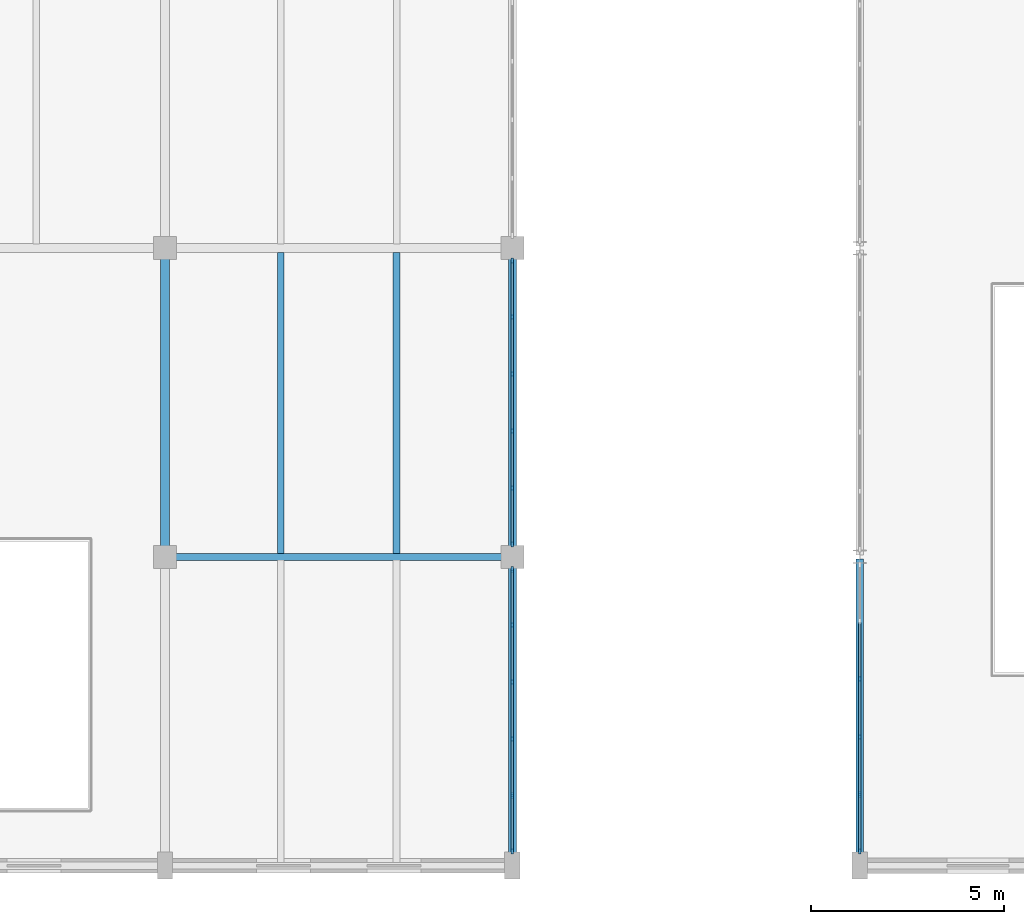
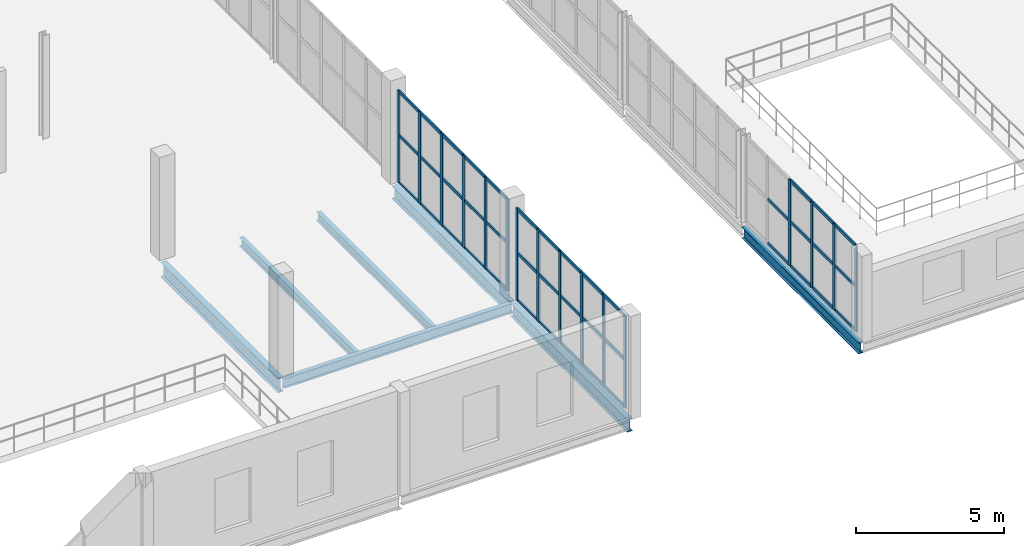
# One storey, part 14 of 73: 57 members, 7 beams, 3 elements without a shape of their own.
"""IFC4 building model written with IfcOpenShell, lengths in metres."""

import ifcopenshell
import ifcopenshell.guid

model = None  # the IFC model being written
_history = None  # IfcOwnerHistory: only IFC2X3 demands one
_inside = {}  # id of a spatial element -> (the spatial element, [elements in it])
_under = {}  # id of a project, library or spatial element -> (it, [spatial elements below it])
_declared = {}  # id of a project -> (the project, [libraries it declares])
_typed = {}  # id of a type object -> (the type object, [elements of that type])
_made_of = {}  # id of a material, layer set ... -> (it, [elements and type objects made of it])


def new_model(schema):
    """Start an empty IFC model of exactly this schema.

    Asked for "IFC4X3", IfcOpenShell would pick the latest addendum, in which some entities
    have other attributes; the version numbers below select the first issue.
    IFC2X3 requires an IfcOwnerHistory on every rooted entity: one is made here for all.
    """
    global model, _history
    if schema == "IFC4X3":
        model = ifcopenshell.file(schema_version=(4, 3, 0, 0))
    else:
        model = ifcopenshell.file(schema=schema)
    _inside.clear()
    _under.clear()
    _declared.clear()
    _typed.clear()
    _made_of.clear()
    _history = None
    if model.schema == "IFC2X3":
        org = make("IfcOrganization", Name="unknown")
        user = make(
            "IfcPersonAndOrganization",
            ThePerson=make("IfcPerson", FamilyName="unknown"),
            TheOrganization=org,
        )
        app = make(
            "IfcApplication",
            ApplicationDeveloper=org,
            Version="unknown",
            ApplicationFullName="unknown",
            ApplicationIdentifier="unknown",
        )
        _history = make(
            "IfcOwnerHistory",
            OwningUser=user,
            OwningApplication=app,
            ChangeAction="ADDED",
            CreationDate=0,
        )
    return model


def make(cls, **values):
    """One entity of the class cls with the attributes given. An attribute that is None is left unset."""
    return model.create_entity(
        cls, **{name: value for name, value in values.items() if value is not None}
    )


def rooted(cls, **values):
    """An entity with a GlobalId (a new one), such as an element, a storey or a relation."""
    return make(cls, GlobalId=ifcopenshell.guid.new(), OwnerHistory=_history, **values)


def si_unit(unit_type, name, prefix=None):
    """IfcSIUnit, for example si_unit("LENGTHUNIT", "METRE", prefix="MILLI")."""
    return make("IfcSIUnit", UnitType=unit_type, Prefix=prefix, Name=name)


def assignment(units):
    """IfcUnitAssignment: the units of a project."""
    return None if units is None else make("IfcUnitAssignment", Units=units)


def point(xyz):
    """IfcCartesianPoint."""
    return None if xyz is None else make("IfcCartesianPoint", Coordinates=xyz)


def direction(xyz):
    """IfcDirection."""
    return None if xyz is None else make("IfcDirection", DirectionRatios=xyz)


def frame(location, z_axis=None, x_axis=None):
    """IfcAxis2Placement3D, a coordinate frame: its origin and axes. An axis left out is left unset."""
    return make(
        "IfcAxis2Placement3D",
        Location=point(location),
        Axis=direction(z_axis),
        RefDirection=direction(x_axis),
    )


def frame_2d(location, x_axis=None):
    """IfcAxis2Placement2D, a coordinate frame in the plane: its origin and x axis."""
    return make(
        "IfcAxis2Placement2D", Location=point(location), RefDirection=direction(x_axis)
    )


def origin():
    """The frame at (0, 0, 0) with its axes left unset."""
    return frame((0.0, 0.0, 0.0))


def origin_2d():
    """The frame at (0, 0) in the plane with its x axis left unset."""
    return frame_2d((0.0, 0.0))


def place(relative_to, where):
    """IfcLocalPlacement: puts the frame where relative to a parent placement (None: the world)."""
    return make(
        "IfcLocalPlacement", PlacementRelTo=relative_to, RelativePlacement=where
    )


def context(
    kind, dimensions, precision=None, world=None, true_north=None, identifier=None
):
    """IfcGeometricRepresentationContext, for example the 3D "Model" context."""
    return make(
        "IfcGeometricRepresentationContext",
        ContextIdentifier=identifier,
        ContextType=kind,
        CoordinateSpaceDimension=dimensions,
        Precision=precision,
        WorldCoordinateSystem=world,
        TrueNorth=true_north,
    )


def subcontext(parent, identifier, kind, view, scale=None):
    """IfcGeometricRepresentationSubContext, for example "Body" below "Model"."""
    return make(
        "IfcGeometricRepresentationSubContext",
        ContextIdentifier=identifier,
        ContextType=kind,
        ParentContext=parent,
        TargetScale=scale,
        TargetView=view,
    )


def project(units=None, contexts=None):
    """IfcProject with its units and contexts."""
    return rooted(
        "IfcProject",
        Name="project",
        RepresentationContexts=contexts,
        UnitsInContext=assignment(units),
    )


def spatial(cls, under=None, at=None, **own):
    """A site, building, storey or space (cls), placed at a placement, below another one or the project."""
    s = rooted(cls, ObjectPlacement=at, **own)
    if under is not None:
        _under.setdefault(under.id(), (under, []))[1].append(s)
    return s


def profile(cls, at=None, kind="AREA", **sizes):
    """A parametric profile (cls). Its sizes go by their IFC names, for example OverallWidth=200.0."""
    return make(cls, ProfileType=kind, Position=at, **sizes)


def rectangle(**sizes):
    """IfcRectangleProfileDef."""
    return profile("IfcRectangleProfileDef", **sizes)


def i_section(**sizes):
    """IfcIShapeProfileDef."""
    return profile("IfcIShapeProfileDef", **sizes)


def extrude(swept, where, along, depth):
    """IfcExtrudedAreaSolid: the profile swept, set in the frame where, extruded along a direction by depth."""
    return make(
        "IfcExtrudedAreaSolid",
        SweptArea=swept,
        Position=where,
        ExtrudedDirection=direction(along),
        Depth=depth,
    )


def shape(context_of_items, identifier, shape_type, items):
    """IfcShapeRepresentation: the items that make up one representation, for example the "Body"."""
    return make(
        "IfcShapeRepresentation",
        ContextOfItems=context_of_items,
        RepresentationIdentifier=identifier,
        RepresentationType=shape_type,
        Items=items,
    )


def material(Name=None, Category=None):
    """IfcMaterial."""
    return make("IfcMaterial", Name=Name, Category=Category)


def layer(
    of_material, thickness, ventilated=None, Name=None, Category=None, Priority=None
):
    """IfcMaterialLayer: one layer of a wall or slab, of a material (None: an air gap)."""
    return make(
        "IfcMaterialLayer",
        Material=of_material,
        LayerThickness=thickness,
        IsVentilated=ventilated,
        Name=Name,
        Category=Category,
        Priority=Priority,
    )


def layer_set(layers, Name=None):
    """IfcMaterialLayerSet."""
    return make("IfcMaterialLayerSet", MaterialLayers=layers, LayerSetName=Name)


def material_profile(
    of_material, cross_section, Name=None, Category=None, Priority=None
):
    """IfcMaterialProfile: a cross section and its material."""
    return make(
        "IfcMaterialProfile",
        Name=Name,
        Material=of_material,
        Profile=cross_section,
        Priority=Priority,
        Category=Category,
    )


def profile_set(profiles, Name=None, composite=None):
    """IfcMaterialProfileSet."""
    return make(
        "IfcMaterialProfileSet",
        Name=Name,
        MaterialProfiles=profiles,
        CompositeProfile=composite,
    )


def made_of(thing, what):
    """Note that an element or type object is made of a material, layer set ...; save() writes the relation."""
    if what is not None:
        _made_of.setdefault(what.id(), (what, []))[1].append(thing)
    return thing


def type_object(cls, material=None, **own):
    """A type object (cls), such as IfcWallType, which elements share."""
    return made_of(rooted(cls, **own), material)


def element(
    cls,
    number,
    at=None,
    inside=None,
    cuts=None,
    type_object=None,
    material=None,
    context=None,
    identifier="Body",
    shape_type=None,
    held_by="IfcProductDefinitionShape",
    body=None,
    shapes=None,
    **own,
):
    """One element of the class cls, such as IfcWall. Its Tag is "e" and its number.

    at: its placement. inside: the storey or other place that contains it. cuts: it is an
    opening in that element (IfcRelVoidsElement). A single representation is given by context,
    identifier, shape_type and body (its items); several are given by shapes. held_by: the class
    of the entity that holds the representations. save() writes the other relations.
    """
    e = rooted(cls, Tag="e%d" % number, ObjectPlacement=at, **own)
    if body is not None:
        shapes = [shape(context, identifier, shape_type, body)]
    if shapes is not None:
        e.Representation = make(held_by, Representations=shapes)
    if inside is not None:
        _inside.setdefault(inside.id(), (inside, []))[1].append(e)
    if cuts is not None:
        rooted(
            "IfcRelVoidsElement", RelatingBuildingElement=cuts, RelatedOpeningElement=e
        )
    if type_object is not None:
        _typed.setdefault(type_object.id(), (type_object, []))[1].append(e)
    return made_of(e, material)


def aggregate(whole, parts):
    """IfcRelAggregates: a whole, such as a stair, and the parts it consists of."""
    return rooted("IfcRelAggregates", RelatingObject=whole, RelatedObjects=parts)


def save(model, path):
    """Write the relations noted so far, then the file.

    IfcRelAggregates (storeys below a building ...), IfcRelContainedInSpatialStructure (elements
    in a storey), IfcRelDefinesByType, IfcRelAssociatesMaterial and IfcRelDeclares: one each for
    every whole, place, type object, material and project.
    """
    for whole, parts in _under.values():
        aggregate(whole, parts)
    for where, things in _inside.values():
        rooted(
            "IfcRelContainedInSpatialStructure",
            RelatedElements=things,
            RelatingStructure=where,
        )
    for kind, things in _typed.values():
        rooted("IfcRelDefinesByType", RelatedObjects=things, RelatingType=kind)
    for what, things in _made_of.values():
        rooted("IfcRelAssociatesMaterial", RelatedObjects=things, RelatingMaterial=what)
    for by, libraries in _declared.values():
        rooted("IfcRelDeclares", RelatingContext=by, RelatedDefinitions=libraries)
    model.write(path)


model = new_model("IFC4")

# Units and contexts
model_context = context("Model", 3, precision=1e-05, world=origin(), true_north=direction((0.0, 1.0)))
body_context = subcontext(model_context, "Body", "Model", "MODEL_VIEW")
ifc_project = project(units=[si_unit("LENGTHUNIT", "METRE"), si_unit("AREAUNIT", "SQUARE_METRE"), si_unit("VOLUMEUNIT", "CUBIC_METRE"), si_unit("PLANEANGLEUNIT", "RADIAN"), si_unit("MASSUNIT", "GRAM", prefix="KILO")], contexts=[model_context])

# Site, building, storey
site_placement = place(None, origin())
site = spatial("IfcSite", under=ifc_project, at=site_placement, CompositionType="ELEMENT")
building_placement = place(site_placement, origin())
building = spatial("IfcBuilding", under=site, at=building_placement, Name="Marnock Terrace Opera House", CompositionType="ELEMENT")
storey_placement = place(building_placement, frame((0.0, 0.0, 14.699951171875)))
storey = spatial("IfcBuildingStorey", under=building, at=storey_placement, Name="L03", CompositionType="ELEMENT", Elevation=14.699951171875)

# Beams
ifc_material_1 = material(Name="Steel Grade 350 (AS/NZS 3679.1)", Category="steel")
ifc_material_profile_1 = material_profile(ifc_material_1, i_section(OverallWidth=0.177978515625, OverallDepth=0.402587890625, WebThickness=0.007568359375, FlangeThickness=0.010986328125, FilletRadius=0.011474609375, at=origin_2d()))
ifc_profile_set_1 = profile_set([ifc_material_profile_1], Name="Steel Grade 350 (AS/NZS 3679.1)")
beam_type_1 = type_object("IfcBeamType", Name="BM-GIRD-410", PredefinedType="BEAM", material=ifc_profile_set_1)
beam_1_placement = place(storey_placement, frame((37.050048828125, 16.0, -0.461181640625), z_axis=(1.0, 0.0, 0.0), x_axis=(0.0, 1.0, 0.0)))
element("IfcBeam", 1, at=beam_1_placement, inside=storey, type_object=beam_type_1, Name="L03 girder (37.0..46.0, Y=16.0)", PredefinedType="BEAM", context=body_context, shape_type="SweptSolid", body=[
    extrude(i_section(OverallWidth=0.177978515625, OverallDepth=0.402587890625, WebThickness=0.007568359375, FlangeThickness=0.010986328125, FilletRadius=0.011474609375, at=origin_2d()), origin(), (0.0, 0.0, 1.0), 8.89990234375),
])
ifc_material_profile_2 = material_profile(ifc_material_1, i_section(OverallWidth=0.18994140625, OverallDepth=0.45751953125, WebThickness=0.009033203125, FlangeThickness=0.014404296875, FilletRadius=0.011474609375, at=origin_2d()))
ifc_profile_set_2 = profile_set([ifc_material_profile_2], Name="Steel Grade 350 (AS/NZS 3679.1)")
beam_type_2 = type_object("IfcBeamType", Name="BM-GIRD-460B", PredefinedType="BEAM", material=ifc_profile_set_2)
beam_2_placement = place(storey_placement, frame((55.0, 8.050048828125, -0.48876953125), z_axis=(0.0, 1.0, 0.0), x_axis=(-1.0, 0.0, 0.0)))
element("IfcBeam", 2, at=beam_2_placement, inside=storey, type_object=beam_type_2, Name="L03 girder (X=55.0, 8.0..16.0)", PredefinedType="BEAM", context=body_context, shape_type="SweptSolid", body=[
    extrude(i_section(OverallWidth=0.18994140625, OverallDepth=0.45751953125, WebThickness=0.009033203125, FlangeThickness=0.014404296875, FilletRadius=0.011474609375, at=origin_2d()), origin(), (0.0, 0.0, 1.0), 7.89990234375),
])
ifc_material_profile_3 = material_profile(ifc_material_1, i_section(OverallWidth=0.208984375, OverallDepth=0.528076171875, WebThickness=0.009521484375, FlangeThickness=0.01318359375, FilletRadius=0.013916015625, at=origin_2d()))
ifc_profile_set_3 = profile_set([ifc_material_profile_3], Name="Steel Grade 350 (AS/NZS 3679.1)")
beam_type_3 = type_object("IfcBeamType", Name="BM-GIRD-530B", PredefinedType="BEAM", material=ifc_profile_set_3)
for number, where, z_axis, x_axis, name in (
    (3, (46.0, 8.050048828125, -0.52392578125), (0.0, 1.0, 0.0), (-1.0, 0.0, 0.0), "L03 girder (X=46.0, 8.0..16.0)"),
    (4, (46.0, 16.050048828125, -0.52392578125), (0.0, 1.0, 0.0), (-1.0, 0.0, 0.0), "L03 girder (X=46.0, 16.0..24.0)"),
):
    element("IfcBeam", number, at=place(storey_placement, frame(where, z_axis=z_axis, x_axis=x_axis)), inside=storey, type_object=beam_type_3, Name=name, PredefinedType="BEAM", context=body_context, shape_type="SweptSolid", body=[
        extrude(i_section(OverallWidth=0.208984375, OverallDepth=0.528076171875, WebThickness=0.009521484375, FlangeThickness=0.01318359375, FilletRadius=0.013916015625, at=origin_2d()), origin(), (0.0, 0.0, 1.0), 7.89990234375),
    ])
ifc_material_profile_4 = material_profile(ifc_material_1, i_section(OverallWidth=0.22802734375, OverallDepth=0.60205078125, WebThickness=0.010498046875, FlangeThickness=0.014892578125, FilletRadius=0.013916015625, at=origin_2d()))
ifc_profile_set_4 = profile_set([ifc_material_profile_4], Name="Steel Grade 350 (AS/NZS 3679.1)")
beam_type_4 = type_object("IfcBeamType", Name="BM-GIRD-610C", PredefinedType="BEAM", material=ifc_profile_set_4)
beam_3_placement = place(storey_placement, frame((37.0, 16.050048828125, -0.56103515625), z_axis=(0.0, 1.0, 0.0), x_axis=(-1.0, 0.0, 0.0)))
element("IfcBeam", 5, at=beam_3_placement, inside=storey, type_object=beam_type_4, Name="L03 girder (X=37.0, 16.0..24.0)", PredefinedType="BEAM", context=body_context, shape_type="SweptSolid", body=[
    extrude(i_section(OverallWidth=0.22802734375, OverallDepth=0.60205078125, WebThickness=0.010498046875, FlangeThickness=0.014892578125, FilletRadius=0.013916015625, at=origin_2d()), origin(), (0.0, 0.0, 1.0), 7.89990234375),
])
ifc_material_profile_5 = material_profile(ifc_material_1, i_section(OverallWidth=0.172119140625, OverallDepth=0.358642578125, WebThickness=0.008056640625, FlangeThickness=0.012939453125, FilletRadius=0.011474609375, at=origin_2d()))
ifc_profile_set_5 = profile_set([ifc_material_profile_5], Name="Steel Grade 350 (AS/NZS 3679.1)")
beam_type_5 = type_object("IfcBeamType", Name="BM-JOIST-360", PredefinedType="JOIST", material=ifc_profile_set_5)
for number, where, z_axis, x_axis, name in (
    (6, (40.0, 16.083984375, -0.439208984375), (0.0, 1.0, 0.0), (-1.0, 0.0, 0.0), "L03 secondary joist 4.2.1"),
    (7, (43.0, 16.083984375, -0.439208984375), (0.0, 1.0, 0.0), (-1.0, 0.0, 0.0), "L03 secondary joist 4.2.2"),
):
    element("IfcBeam", number, at=place(storey_placement, frame(where, z_axis=z_axis, x_axis=x_axis)), inside=storey, type_object=beam_type_5, Name=name, PredefinedType="JOIST", context=body_context, shape_type="SweptSolid", body=[
        extrude(i_section(OverallWidth=0.172119140625, OverallDepth=0.358642578125, WebThickness=0.008056640625, FlangeThickness=0.012939453125, FilletRadius=0.011474609375, at=origin_2d()), origin(), (0.0, 0.0, 1.0), 7.806396484375),
    ])

# Curtain wall, members
ifc_material_2 = material(Name="Anodised architectural bronze aluminium framing", Category="aluminium")
ifc_layer_1 = layer(ifc_material_2, 0.159912109375)
ifc_layer_set_1 = layer_set([ifc_layer_1], Name="Anodised architectural bronze aluminium framing")
curtain_wall_type_1 = type_object("IfcCurtainWallType", Name="CW-FOYER-80x42", PredefinedType="NOTDEFINED", material=ifc_layer_set_1)
curtain_wall_1_placement = place(storey_placement, origin())
curtain_wall_1 = element("IfcCurtainWall", 8, at=curtain_wall_1_placement, inside=storey, type_object=curtain_wall_type_1, Name="L03 glazed Beaux-Arts colonnade curtain wall CW-V1W-L03-01", PredefinedType="NOTDEFINED")
ifc_material_profile_6 = material_profile(ifc_material_2, rectangle(XDim=0.06005859375, YDim=0.14990234375, at=origin_2d()))
ifc_profile_set_6 = profile_set([ifc_material_profile_6], Name="Anodised architectural bronze aluminium framing")
member_type_1 = type_object("IfcMemberType", Name="CWM-60x150", PredefinedType="MULLION", material=ifc_profile_set_6)
member_1_placement = place(storey_placement, frame((55.0, 8.3759765625, 0.0), z_axis=(0.0, 0.0, 1.0), x_axis=(-1.0, 0.0, 0.0)))
member_1 = element("IfcMember", 9, at=member_1_placement, type_object=member_type_1, Name="CW-62 mullion 1", PredefinedType="MULLION", context=body_context, shape_type="SweptSolid", body=[
    extrude(rectangle(XDim=0.06005859375, YDim=0.14990234375, at=origin_2d()), origin(), (0.0, 0.0, 1.0), 3.546142578125),
])
member_2_placement = place(storey_placement, frame((55.0, 9.842529296875, 0.0), z_axis=(0.0, 0.0, 1.0), x_axis=(-1.0, 0.0, 0.0)))
member_2 = element("IfcMember", 10, at=member_2_placement, type_object=member_type_1, Name="CW-62 mullion 2", PredefinedType="MULLION", context=body_context, shape_type="SweptSolid", body=[
    extrude(rectangle(XDim=0.06005859375, YDim=0.14990234375, at=origin_2d()), origin(), (0.0, 0.0, 1.0), 3.546142578125),
])
member_3_placement = place(storey_placement, frame((55.0, 11.339111328125, 0.0), z_axis=(0.0, 0.0, 1.0), x_axis=(-1.0, 0.0, 0.0)))
member_3 = element("IfcMember", 11, at=member_3_placement, type_object=member_type_1, Name="CW-62 mullion 3", PredefinedType="MULLION", context=body_context, shape_type="SweptSolid", body=[
    extrude(rectangle(XDim=0.06005859375, YDim=0.14990234375, at=origin_2d()), origin(), (0.0, 0.0, 1.0), 3.546142578125),
])
member_4_placement = place(storey_placement, frame((55.0, 12.835693359375, 0.0), z_axis=(0.0, 0.0, 1.0), x_axis=(-1.0, 0.0, 0.0)))
member_4 = element("IfcMember", 12, at=member_4_placement, type_object=member_type_1, Name="CW-62 mullion 4", PredefinedType="MULLION", context=body_context, shape_type="SweptSolid", body=[
    extrude(rectangle(XDim=0.06005859375, YDim=0.14990234375, at=origin_2d()), origin(), (0.0, 0.0, 1.0), 3.546142578125),
])

ifc_layer_2 = layer(ifc_material_2, 0.159912109375)
ifc_layer_set_2 = layer_set([ifc_layer_2], Name="Anodised architectural bronze aluminium framing")
curtain_wall_type_2 = type_object("IfcCurtainWallType", Name="CW-COURT-80x42", PredefinedType="NOTDEFINED", material=ifc_layer_set_2)
curtain_wall_2_placement = place(storey_placement, origin())
curtain_wall_2 = element("IfcCurtainWall", 13, at=curtain_wall_2_placement, inside=storey, type_object=curtain_wall_type_2, Name="L03 glazed Beaux-Arts colonnade curtain wall CW-V3E-L03-01", PredefinedType="NOTDEFINED")
member_5_placement = place(storey_placement, frame((46.0, 8.3759765625, 0.0), z_axis=(0.0, 0.0, 1.0), x_axis=(-1.0, 0.0, 0.0)))
member_5 = element("IfcMember", 14, at=member_5_placement, type_object=member_type_1, Name="CW-12 mullion 1", PredefinedType="MULLION", context=body_context, shape_type="SweptSolid", body=[
    extrude(rectangle(XDim=0.06005859375, YDim=0.14990234375, at=origin_2d()), origin(), (0.0, 0.0, 1.0), 3.804443359375),
])
member_6_placement = place(storey_placement, frame((46.0, 9.817626953125, 0.0), z_axis=(0.0, 0.0, 1.0), x_axis=(-1.0, 0.0, 0.0)))
member_6 = element("IfcMember", 15, at=member_6_placement, type_object=member_type_1, Name="CW-12 mullion 2", PredefinedType="MULLION", context=body_context, shape_type="SweptSolid", body=[
    extrude(rectangle(XDim=0.06005859375, YDim=0.14990234375, at=origin_2d()), origin(), (0.0, 0.0, 1.0), 3.804443359375),
])
member_7_placement = place(storey_placement, frame((46.0, 11.289306640625, 0.0), z_axis=(0.0, 0.0, 1.0), x_axis=(-1.0, 0.0, 0.0)))
member_7 = element("IfcMember", 16, at=member_7_placement, type_object=member_type_1, Name="CW-12 mullion 3", PredefinedType="MULLION", context=body_context, shape_type="SweptSolid", body=[
    extrude(rectangle(XDim=0.06005859375, YDim=0.14990234375, at=origin_2d()), origin(), (0.0, 0.0, 1.0), 3.804443359375),
])
member_8_placement = place(storey_placement, frame((46.0, 12.7607421875, 0.0), z_axis=(0.0, 0.0, 1.0), x_axis=(-1.0, 0.0, 0.0)))
member_8 = element("IfcMember", 17, at=member_8_placement, type_object=member_type_1, Name="CW-12 mullion 4", PredefinedType="MULLION", context=body_context, shape_type="SweptSolid", body=[
    extrude(rectangle(XDim=0.06005859375, YDim=0.14990234375, at=origin_2d()), origin(), (0.0, 0.0, 1.0), 3.804443359375),
])
member_9_placement = place(storey_placement, frame((46.0, 14.232421875, 0.0), z_axis=(0.0, 0.0, 1.0), x_axis=(-1.0, 0.0, 0.0)))
member_9 = element("IfcMember", 18, at=member_9_placement, type_object=member_type_1, Name="CW-12 mullion 5", PredefinedType="MULLION", context=body_context, shape_type="SweptSolid", body=[
    extrude(rectangle(XDim=0.06005859375, YDim=0.14990234375, at=origin_2d()), origin(), (0.0, 0.0, 1.0), 3.804443359375),
])
member_10_placement = place(storey_placement, frame((46.0, 15.674072265625, 0.0), z_axis=(0.0, 0.0, 1.0), x_axis=(-1.0, 0.0, 0.0)))
member_10 = element("IfcMember", 19, at=member_10_placement, type_object=member_type_1, Name="CW-12 mullion 6", PredefinedType="MULLION", context=body_context, shape_type="SweptSolid", body=[
    extrude(rectangle(XDim=0.06005859375, YDim=0.14990234375, at=origin_2d()), origin(), (0.0, 0.0, 1.0), 3.804443359375),
])

curtain_wall_3_placement = place(storey_placement, origin())
curtain_wall_3 = element("IfcCurtainWall", 20, at=curtain_wall_3_placement, inside=storey, type_object=curtain_wall_type_2, Name="L03 glazed Beaux-Arts colonnade curtain wall CW-V3E-L03-02", PredefinedType="NOTDEFINED")
member_11_placement = place(storey_placement, frame((46.0, 16.325927734375, 0.0), z_axis=(0.0, 0.0, 1.0), x_axis=(-1.0, 0.0, 0.0)))
member_11 = element("IfcMember", 21, at=member_11_placement, type_object=member_type_1, Name="CW-12 mullion 1", PredefinedType="MULLION", context=body_context, shape_type="SweptSolid", body=[
    extrude(rectangle(XDim=0.06005859375, YDim=0.14990234375, at=origin_2d()), origin(), (0.0, 0.0, 1.0), 3.804443359375),
])
member_12_placement = place(storey_placement, frame((46.0, 17.777587890625, 0.0), z_axis=(0.0, 0.0, 1.0), x_axis=(-1.0, 0.0, 0.0)))
member_12 = element("IfcMember", 22, at=member_12_placement, type_object=member_type_1, Name="CW-12 mullion 2", PredefinedType="MULLION", context=body_context, shape_type="SweptSolid", body=[
    extrude(rectangle(XDim=0.06005859375, YDim=0.14990234375, at=origin_2d()), origin(), (0.0, 0.0, 1.0), 3.804443359375),
])
member_13_placement = place(storey_placement, frame((46.0, 19.25927734375, 0.0), z_axis=(0.0, 0.0, 1.0), x_axis=(-1.0, 0.0, 0.0)))
member_13 = element("IfcMember", 23, at=member_13_placement, type_object=member_type_1, Name="CW-12 mullion 3", PredefinedType="MULLION", context=body_context, shape_type="SweptSolid", body=[
    extrude(rectangle(XDim=0.06005859375, YDim=0.14990234375, at=origin_2d()), origin(), (0.0, 0.0, 1.0), 3.804443359375),
])
member_14_placement = place(storey_placement, frame((46.0, 20.74072265625, 0.0), z_axis=(0.0, 0.0, 1.0), x_axis=(-1.0, 0.0, 0.0)))
member_14 = element("IfcMember", 24, at=member_14_placement, type_object=member_type_1, Name="CW-12 mullion 4", PredefinedType="MULLION", context=body_context, shape_type="SweptSolid", body=[
    extrude(rectangle(XDim=0.06005859375, YDim=0.14990234375, at=origin_2d()), origin(), (0.0, 0.0, 1.0), 3.804443359375),
])
member_15_placement = place(storey_placement, frame((46.0, 22.222412109375, 0.0), z_axis=(0.0, 0.0, 1.0), x_axis=(-1.0, 0.0, 0.0)))
member_15 = element("IfcMember", 25, at=member_15_placement, type_object=member_type_1, Name="CW-12 mullion 5", PredefinedType="MULLION", context=body_context, shape_type="SweptSolid", body=[
    extrude(rectangle(XDim=0.06005859375, YDim=0.14990234375, at=origin_2d()), origin(), (0.0, 0.0, 1.0), 3.804443359375),
])
member_16_placement = place(storey_placement, frame((46.0, 23.674072265625, 0.0), z_axis=(0.0, 0.0, 1.0), x_axis=(-1.0, 0.0, 0.0)))
member_16 = element("IfcMember", 26, at=member_16_placement, type_object=member_type_1, Name="CW-12 mullion 6", PredefinedType="MULLION", context=body_context, shape_type="SweptSolid", body=[
    extrude(rectangle(XDim=0.06005859375, YDim=0.14990234375, at=origin_2d()), origin(), (0.0, 0.0, 1.0), 3.804443359375),
])

# Member
ifc_material_profile_7 = material_profile(ifc_material_2, rectangle(XDim=0.06005859375, YDim=0.1298828125, at=origin_2d()))
ifc_profile_set_7 = profile_set([ifc_material_profile_7], Name="Anodised architectural bronze aluminium framing")
member_type_2 = type_object("IfcMemberType", Name="CWT-60x130", PredefinedType="USERDEFINED", material=ifc_profile_set_7)
member_17_placement = place(storey_placement, frame((55.0, 8.406005859375, 0.030029296875), z_axis=(0.0, 1.0, 0.0), x_axis=(-1.0, 0.0, 0.0)))
member_17 = element("IfcMember", 27, at=member_17_placement, type_object=member_type_2, Name="CW-62 transom 1.1", ObjectType="TRANSOM", PredefinedType="USERDEFINED", context=body_context, shape_type="SweptSolid", body=[
    extrude(rectangle(XDim=0.06005859375, YDim=0.1298828125, at=origin_2d()), origin(), (0.0, 0.0, 1.0), 1.406494140625),
])

member_18_placement = place(storey_placement, frame((55.0, 8.406005859375, 1.843994140625), z_axis=(0.0, 1.0, 0.0), x_axis=(-1.0, 0.0, 0.0)))
member_18 = element("IfcMember", 28, at=member_18_placement, type_object=member_type_2, Name="CW-62 transom 1.2", ObjectType="TRANSOM", PredefinedType="USERDEFINED", context=body_context, shape_type="SweptSolid", body=[
    extrude(rectangle(XDim=0.06005859375, YDim=0.1298828125, at=origin_2d()), origin(), (0.0, 0.0, 1.0), 1.406494140625),
])

member_19_placement = place(storey_placement, frame((55.0, 8.406005859375, 3.51611328125), z_axis=(0.0, 1.0, 0.0), x_axis=(-1.0, 0.0, 0.0)))
member_19 = element("IfcMember", 29, at=member_19_placement, type_object=member_type_2, Name="CW-62 transom 1.3", ObjectType="TRANSOM", PredefinedType="USERDEFINED", context=body_context, shape_type="SweptSolid", body=[
    extrude(rectangle(XDim=0.06005859375, YDim=0.1298828125, at=origin_2d()), origin(), (0.0, 0.0, 1.0), 1.406494140625),
])

member_20_placement = place(storey_placement, frame((55.0, 9.87255859375, 0.030029296875), z_axis=(0.0, 1.0, 0.0), x_axis=(-1.0, 0.0, 0.0)))
member_20 = element("IfcMember", 30, at=member_20_placement, type_object=member_type_2, Name="CW-62 transom 2.1", ObjectType="TRANSOM", PredefinedType="USERDEFINED", context=body_context, shape_type="SweptSolid", body=[
    extrude(rectangle(XDim=0.06005859375, YDim=0.1298828125, at=origin_2d()), origin(), (0.0, 0.0, 1.0), 1.4365234375),
])

member_21_placement = place(storey_placement, frame((55.0, 9.87255859375, 1.843994140625), z_axis=(0.0, 1.0, 0.0), x_axis=(-1.0, 0.0, 0.0)))
member_21 = element("IfcMember", 31, at=member_21_placement, type_object=member_type_2, Name="CW-62 transom 2.2", ObjectType="TRANSOM", PredefinedType="USERDEFINED", context=body_context, shape_type="SweptSolid", body=[
    extrude(rectangle(XDim=0.06005859375, YDim=0.1298828125, at=origin_2d()), origin(), (0.0, 0.0, 1.0), 1.4365234375),
])

member_22_placement = place(storey_placement, frame((55.0, 9.87255859375, 3.51611328125), z_axis=(0.0, 1.0, 0.0), x_axis=(-1.0, 0.0, 0.0)))
member_22 = element("IfcMember", 32, at=member_22_placement, type_object=member_type_2, Name="CW-62 transom 2.3", ObjectType="TRANSOM", PredefinedType="USERDEFINED", context=body_context, shape_type="SweptSolid", body=[
    extrude(rectangle(XDim=0.06005859375, YDim=0.1298828125, at=origin_2d()), origin(), (0.0, 0.0, 1.0), 1.4365234375),
])

member_23_placement = place(storey_placement, frame((55.0, 11.369140625, 0.030029296875), z_axis=(0.0, 1.0, 0.0), x_axis=(-1.0, 0.0, 0.0)))
member_23 = element("IfcMember", 33, at=member_23_placement, type_object=member_type_2, Name="CW-62 transom 3.1", ObjectType="TRANSOM", PredefinedType="USERDEFINED", context=body_context, shape_type="SweptSolid", body=[
    extrude(rectangle(XDim=0.06005859375, YDim=0.1298828125, at=origin_2d()), origin(), (0.0, 0.0, 1.0), 1.436767578125),
])

member_24_placement = place(storey_placement, frame((55.0, 11.369140625, 1.843994140625), z_axis=(0.0, 1.0, 0.0), x_axis=(-1.0, 0.0, 0.0)))
member_24 = element("IfcMember", 34, at=member_24_placement, type_object=member_type_2, Name="CW-62 transom 3.2", ObjectType="TRANSOM", PredefinedType="USERDEFINED", context=body_context, shape_type="SweptSolid", body=[
    extrude(rectangle(XDim=0.06005859375, YDim=0.1298828125, at=origin_2d()), origin(), (0.0, 0.0, 1.0), 1.436767578125),
])

member_25_placement = place(storey_placement, frame((55.0, 11.369140625, 3.51611328125), z_axis=(0.0, 1.0, 0.0), x_axis=(-1.0, 0.0, 0.0)))
member_25 = element("IfcMember", 35, at=member_25_placement, type_object=member_type_2, Name="CW-62 transom 3.3", ObjectType="TRANSOM", PredefinedType="USERDEFINED", context=body_context, shape_type="SweptSolid", body=[
    extrude(rectangle(XDim=0.06005859375, YDim=0.1298828125, at=origin_2d()), origin(), (0.0, 0.0, 1.0), 1.436767578125),
])

member_26_placement = place(storey_placement, frame((55.0, 12.86572265625, 0.030029296875), z_axis=(0.0, 1.0, 0.0), x_axis=(-1.0, 0.0, 0.0)))
member_26 = element("IfcMember", 36, at=member_26_placement, type_object=member_type_2, Name="CW-62 transom 4.1", ObjectType="TRANSOM", PredefinedType="USERDEFINED", context=body_context, shape_type="SweptSolid", body=[
    extrude(rectangle(XDim=0.06005859375, YDim=0.1298828125, at=origin_2d()), origin(), (0.0, 0.0, 1.0), 1.436767578125),
])

member_27_placement = place(storey_placement, frame((55.0, 12.86572265625, 1.843994140625), z_axis=(0.0, 1.0, 0.0), x_axis=(-1.0, 0.0, 0.0)))
member_27 = element("IfcMember", 37, at=member_27_placement, type_object=member_type_2, Name="CW-62 transom 4.2", ObjectType="TRANSOM", PredefinedType="USERDEFINED", context=body_context, shape_type="SweptSolid", body=[
    extrude(rectangle(XDim=0.06005859375, YDim=0.1298828125, at=origin_2d()), origin(), (0.0, 0.0, 1.0), 1.436767578125),
])

aggregate(curtain_wall_1, [member_1, member_2, member_3, member_4, member_17, member_18, member_19, member_20, member_21, member_22, member_23, member_24, member_25, member_26, member_27])

member_28_placement = place(storey_placement, frame((46.0, 8.406005859375, 0.030029296875), z_axis=(0.0, 1.0, 0.0), x_axis=(-1.0, 0.0, 0.0)))
member_28 = element("IfcMember", 38, at=member_28_placement, type_object=member_type_2, Name="CW-12 transom 1.1", ObjectType="TRANSOM", PredefinedType="USERDEFINED", context=body_context, shape_type="SweptSolid", body=[
    extrude(rectangle(XDim=0.06005859375, YDim=0.1298828125, at=origin_2d()), origin(), (0.0, 0.0, 1.0), 1.381591796875),
])

member_29_placement = place(storey_placement, frame((46.0, 8.406005859375, 1.978271484375), z_axis=(0.0, 1.0, 0.0), x_axis=(-1.0, 0.0, 0.0)))
member_29 = element("IfcMember", 39, at=member_29_placement, type_object=member_type_2, Name="CW-12 transom 1.2", ObjectType="TRANSOM", PredefinedType="USERDEFINED", context=body_context, shape_type="SweptSolid", body=[
    extrude(rectangle(XDim=0.06005859375, YDim=0.1298828125, at=origin_2d()), origin(), (0.0, 0.0, 1.0), 1.381591796875),
])

member_30_placement = place(storey_placement, frame((46.0, 8.406005859375, 3.774658203125), z_axis=(0.0, 1.0, 0.0), x_axis=(-1.0, 0.0, 0.0)))
member_30 = element("IfcMember", 40, at=member_30_placement, type_object=member_type_2, Name="CW-12 transom 1.3", ObjectType="TRANSOM", PredefinedType="USERDEFINED", context=body_context, shape_type="SweptSolid", body=[
    extrude(rectangle(XDim=0.06005859375, YDim=0.1298828125, at=origin_2d()), origin(), (0.0, 0.0, 1.0), 1.381591796875),
])

member_31_placement = place(storey_placement, frame((46.0, 9.84765625, 0.030029296875), z_axis=(0.0, 1.0, 0.0), x_axis=(-1.0, 0.0, 0.0)))
member_31 = element("IfcMember", 41, at=member_31_placement, type_object=member_type_2, Name="CW-12 transom 2.1", ObjectType="TRANSOM", PredefinedType="USERDEFINED", context=body_context, shape_type="SweptSolid", body=[
    extrude(rectangle(XDim=0.06005859375, YDim=0.1298828125, at=origin_2d()), origin(), (0.0, 0.0, 1.0), 1.41162109375),
])

member_32_placement = place(storey_placement, frame((46.0, 9.84765625, 1.978271484375), z_axis=(0.0, 1.0, 0.0), x_axis=(-1.0, 0.0, 0.0)))
member_32 = element("IfcMember", 42, at=member_32_placement, type_object=member_type_2, Name="CW-12 transom 2.2", ObjectType="TRANSOM", PredefinedType="USERDEFINED", context=body_context, shape_type="SweptSolid", body=[
    extrude(rectangle(XDim=0.06005859375, YDim=0.1298828125, at=origin_2d()), origin(), (0.0, 0.0, 1.0), 1.41162109375),
])

member_33_placement = place(storey_placement, frame((46.0, 9.84765625, 3.774658203125), z_axis=(0.0, 1.0, 0.0), x_axis=(-1.0, 0.0, 0.0)))
member_33 = element("IfcMember", 43, at=member_33_placement, type_object=member_type_2, Name="CW-12 transom 2.3", ObjectType="TRANSOM", PredefinedType="USERDEFINED", context=body_context, shape_type="SweptSolid", body=[
    extrude(rectangle(XDim=0.06005859375, YDim=0.1298828125, at=origin_2d()), origin(), (0.0, 0.0, 1.0), 1.41162109375),
])

member_34_placement = place(storey_placement, frame((46.0, 11.319091796875, 0.030029296875), z_axis=(0.0, 1.0, 0.0), x_axis=(-1.0, 0.0, 0.0)))
member_34 = element("IfcMember", 44, at=member_34_placement, type_object=member_type_2, Name="CW-12 transom 3.1", ObjectType="TRANSOM", PredefinedType="USERDEFINED", context=body_context, shape_type="SweptSolid", body=[
    extrude(rectangle(XDim=0.06005859375, YDim=0.1298828125, at=origin_2d()), origin(), (0.0, 0.0, 1.0), 1.41162109375),
])

member_35_placement = place(storey_placement, frame((46.0, 11.319091796875, 1.978271484375), z_axis=(0.0, 1.0, 0.0), x_axis=(-1.0, 0.0, 0.0)))
member_35 = element("IfcMember", 45, at=member_35_placement, type_object=member_type_2, Name="CW-12 transom 3.2", ObjectType="TRANSOM", PredefinedType="USERDEFINED", context=body_context, shape_type="SweptSolid", body=[
    extrude(rectangle(XDim=0.06005859375, YDim=0.1298828125, at=origin_2d()), origin(), (0.0, 0.0, 1.0), 1.41162109375),
])

member_36_placement = place(storey_placement, frame((46.0, 11.319091796875, 3.774658203125), z_axis=(0.0, 1.0, 0.0), x_axis=(-1.0, 0.0, 0.0)))
member_36 = element("IfcMember", 46, at=member_36_placement, type_object=member_type_2, Name="CW-12 transom 3.3", ObjectType="TRANSOM", PredefinedType="USERDEFINED", context=body_context, shape_type="SweptSolid", body=[
    extrude(rectangle(XDim=0.06005859375, YDim=0.1298828125, at=origin_2d()), origin(), (0.0, 0.0, 1.0), 1.41162109375),
])

member_37_placement = place(storey_placement, frame((46.0, 12.790771484375, 0.030029296875), z_axis=(0.0, 1.0, 0.0), x_axis=(-1.0, 0.0, 0.0)))
member_37 = element("IfcMember", 47, at=member_37_placement, type_object=member_type_2, Name="CW-12 transom 4.1", ObjectType="TRANSOM", PredefinedType="USERDEFINED", context=body_context, shape_type="SweptSolid", body=[
    extrude(rectangle(XDim=0.06005859375, YDim=0.1298828125, at=origin_2d()), origin(), (0.0, 0.0, 1.0), 1.41162109375),
])

member_38_placement = place(storey_placement, frame((46.0, 12.790771484375, 1.978271484375), z_axis=(0.0, 1.0, 0.0), x_axis=(-1.0, 0.0, 0.0)))
member_38 = element("IfcMember", 48, at=member_38_placement, type_object=member_type_2, Name="CW-12 transom 4.2", ObjectType="TRANSOM", PredefinedType="USERDEFINED", context=body_context, shape_type="SweptSolid", body=[
    extrude(rectangle(XDim=0.06005859375, YDim=0.1298828125, at=origin_2d()), origin(), (0.0, 0.0, 1.0), 1.41162109375),
])

member_39_placement = place(storey_placement, frame((46.0, 12.790771484375, 3.774658203125), z_axis=(0.0, 1.0, 0.0), x_axis=(-1.0, 0.0, 0.0)))
member_39 = element("IfcMember", 49, at=member_39_placement, type_object=member_type_2, Name="CW-12 transom 4.3", ObjectType="TRANSOM", PredefinedType="USERDEFINED", context=body_context, shape_type="SweptSolid", body=[
    extrude(rectangle(XDim=0.06005859375, YDim=0.1298828125, at=origin_2d()), origin(), (0.0, 0.0, 1.0), 1.41162109375),
])

member_40_placement = place(storey_placement, frame((46.0, 14.262451171875, 0.030029296875), z_axis=(0.0, 1.0, 0.0), x_axis=(-1.0, 0.0, 0.0)))
member_40 = element("IfcMember", 50, at=member_40_placement, type_object=member_type_2, Name="CW-12 transom 5.1", ObjectType="TRANSOM", PredefinedType="USERDEFINED", context=body_context, shape_type="SweptSolid", body=[
    extrude(rectangle(XDim=0.06005859375, YDim=0.1298828125, at=origin_2d()), origin(), (0.0, 0.0, 1.0), 1.381591796875),
])

member_41_placement = place(storey_placement, frame((46.0, 14.262451171875, 1.978271484375), z_axis=(0.0, 1.0, 0.0), x_axis=(-1.0, 0.0, 0.0)))
member_41 = element("IfcMember", 51, at=member_41_placement, type_object=member_type_2, Name="CW-12 transom 5.2", ObjectType="TRANSOM", PredefinedType="USERDEFINED", context=body_context, shape_type="SweptSolid", body=[
    extrude(rectangle(XDim=0.06005859375, YDim=0.1298828125, at=origin_2d()), origin(), (0.0, 0.0, 1.0), 1.381591796875),
])

member_42_placement = place(storey_placement, frame((46.0, 14.262451171875, 3.774658203125), z_axis=(0.0, 1.0, 0.0), x_axis=(-1.0, 0.0, 0.0)))
member_42 = element("IfcMember", 52, at=member_42_placement, type_object=member_type_2, Name="CW-12 transom 5.3", ObjectType="TRANSOM", PredefinedType="USERDEFINED", context=body_context, shape_type="SweptSolid", body=[
    extrude(rectangle(XDim=0.06005859375, YDim=0.1298828125, at=origin_2d()), origin(), (0.0, 0.0, 1.0), 1.381591796875),
])

aggregate(curtain_wall_2, [member_5, member_6, member_7, member_8, member_9, member_10, member_28, member_29, member_30, member_31, member_32, member_33, member_34, member_35, member_36, member_37, member_38, member_39, member_40, member_41, member_42])

member_43_placement = place(storey_placement, frame((46.0, 16.35595703125, 0.030029296875), z_axis=(0.0, 1.0, 0.0), x_axis=(-1.0, 0.0, 0.0)))
member_43 = element("IfcMember", 53, at=member_43_placement, type_object=member_type_2, Name="CW-12 transom 1.1", ObjectType="TRANSOM", PredefinedType="USERDEFINED", context=body_context, shape_type="SweptSolid", body=[
    extrude(rectangle(XDim=0.06005859375, YDim=0.1298828125, at=origin_2d()), origin(), (0.0, 0.0, 1.0), 1.3916015625),
])

member_44_placement = place(storey_placement, frame((46.0, 16.35595703125, 1.978271484375), z_axis=(0.0, 1.0, 0.0), x_axis=(-1.0, 0.0, 0.0)))
member_44 = element("IfcMember", 54, at=member_44_placement, type_object=member_type_2, Name="CW-12 transom 1.2", ObjectType="TRANSOM", PredefinedType="USERDEFINED", context=body_context, shape_type="SweptSolid", body=[
    extrude(rectangle(XDim=0.06005859375, YDim=0.1298828125, at=origin_2d()), origin(), (0.0, 0.0, 1.0), 1.3916015625),
])

member_45_placement = place(storey_placement, frame((46.0, 16.35595703125, 3.774658203125), z_axis=(0.0, 1.0, 0.0), x_axis=(-1.0, 0.0, 0.0)))
member_45 = element("IfcMember", 55, at=member_45_placement, type_object=member_type_2, Name="CW-12 transom 1.3", ObjectType="TRANSOM", PredefinedType="USERDEFINED", context=body_context, shape_type="SweptSolid", body=[
    extrude(rectangle(XDim=0.06005859375, YDim=0.1298828125, at=origin_2d()), origin(), (0.0, 0.0, 1.0), 1.3916015625),
])

member_46_placement = place(storey_placement, frame((46.0, 17.8076171875, 0.030029296875), z_axis=(0.0, 1.0, 0.0), x_axis=(-1.0, 0.0, 0.0)))
member_46 = element("IfcMember", 56, at=member_46_placement, type_object=member_type_2, Name="CW-12 transom 2.1", ObjectType="TRANSOM", PredefinedType="USERDEFINED", context=body_context, shape_type="SweptSolid", body=[
    extrude(rectangle(XDim=0.06005859375, YDim=0.1298828125, at=origin_2d()), origin(), (0.0, 0.0, 1.0), 1.421630859375),
])

member_47_placement = place(storey_placement, frame((46.0, 17.8076171875, 1.978271484375), z_axis=(0.0, 1.0, 0.0), x_axis=(-1.0, 0.0, 0.0)))
member_47 = element("IfcMember", 57, at=member_47_placement, type_object=member_type_2, Name="CW-12 transom 2.2", ObjectType="TRANSOM", PredefinedType="USERDEFINED", context=body_context, shape_type="SweptSolid", body=[
    extrude(rectangle(XDim=0.06005859375, YDim=0.1298828125, at=origin_2d()), origin(), (0.0, 0.0, 1.0), 1.421630859375),
])

member_48_placement = place(storey_placement, frame((46.0, 17.8076171875, 3.774658203125), z_axis=(0.0, 1.0, 0.0), x_axis=(-1.0, 0.0, 0.0)))
member_48 = element("IfcMember", 58, at=member_48_placement, type_object=member_type_2, Name="CW-12 transom 2.3", ObjectType="TRANSOM", PredefinedType="USERDEFINED", context=body_context, shape_type="SweptSolid", body=[
    extrude(rectangle(XDim=0.06005859375, YDim=0.1298828125, at=origin_2d()), origin(), (0.0, 0.0, 1.0), 1.421630859375),
])

member_49_placement = place(storey_placement, frame((46.0, 19.289306640625, 0.030029296875), z_axis=(0.0, 1.0, 0.0), x_axis=(-1.0, 0.0, 0.0)))
member_49 = element("IfcMember", 59, at=member_49_placement, type_object=member_type_2, Name="CW-12 transom 3.1", ObjectType="TRANSOM", PredefinedType="USERDEFINED", context=body_context, shape_type="SweptSolid", body=[
    extrude(rectangle(XDim=0.06005859375, YDim=0.1298828125, at=origin_2d()), origin(), (0.0, 0.0, 1.0), 1.42138671875),
])

member_50_placement = place(storey_placement, frame((46.0, 19.289306640625, 1.978271484375), z_axis=(0.0, 1.0, 0.0), x_axis=(-1.0, 0.0, 0.0)))
member_50 = element("IfcMember", 60, at=member_50_placement, type_object=member_type_2, Name="CW-12 transom 3.2", ObjectType="TRANSOM", PredefinedType="USERDEFINED", context=body_context, shape_type="SweptSolid", body=[
    extrude(rectangle(XDim=0.06005859375, YDim=0.1298828125, at=origin_2d()), origin(), (0.0, 0.0, 1.0), 1.42138671875),
])

member_51_placement = place(storey_placement, frame((46.0, 19.289306640625, 3.774658203125), z_axis=(0.0, 1.0, 0.0), x_axis=(-1.0, 0.0, 0.0)))
member_51 = element("IfcMember", 61, at=member_51_placement, type_object=member_type_2, Name="CW-12 transom 3.3", ObjectType="TRANSOM", PredefinedType="USERDEFINED", context=body_context, shape_type="SweptSolid", body=[
    extrude(rectangle(XDim=0.06005859375, YDim=0.1298828125, at=origin_2d()), origin(), (0.0, 0.0, 1.0), 1.42138671875),
])

member_52_placement = place(storey_placement, frame((46.0, 20.770751953125, 0.030029296875), z_axis=(0.0, 1.0, 0.0), x_axis=(-1.0, 0.0, 0.0)))
member_52 = element("IfcMember", 62, at=member_52_placement, type_object=member_type_2, Name="CW-12 transom 4.1", ObjectType="TRANSOM", PredefinedType="USERDEFINED", context=body_context, shape_type="SweptSolid", body=[
    extrude(rectangle(XDim=0.06005859375, YDim=0.1298828125, at=origin_2d()), origin(), (0.0, 0.0, 1.0), 1.421630859375),
])

member_53_placement = place(storey_placement, frame((46.0, 20.770751953125, 1.978271484375), z_axis=(0.0, 1.0, 0.0), x_axis=(-1.0, 0.0, 0.0)))
member_53 = element("IfcMember", 63, at=member_53_placement, type_object=member_type_2, Name="CW-12 transom 4.2", ObjectType="TRANSOM", PredefinedType="USERDEFINED", context=body_context, shape_type="SweptSolid", body=[
    extrude(rectangle(XDim=0.06005859375, YDim=0.1298828125, at=origin_2d()), origin(), (0.0, 0.0, 1.0), 1.421630859375),
])

member_54_placement = place(storey_placement, frame((46.0, 20.770751953125, 3.774658203125), z_axis=(0.0, 1.0, 0.0), x_axis=(-1.0, 0.0, 0.0)))
member_54 = element("IfcMember", 64, at=member_54_placement, type_object=member_type_2, Name="CW-12 transom 4.3", ObjectType="TRANSOM", PredefinedType="USERDEFINED", context=body_context, shape_type="SweptSolid", body=[
    extrude(rectangle(XDim=0.06005859375, YDim=0.1298828125, at=origin_2d()), origin(), (0.0, 0.0, 1.0), 1.421630859375),
])

member_55_placement = place(storey_placement, frame((46.0, 22.25244140625, 0.030029296875), z_axis=(0.0, 1.0, 0.0), x_axis=(-1.0, 0.0, 0.0)))
member_55 = element("IfcMember", 65, at=member_55_placement, type_object=member_type_2, Name="CW-12 transom 5.1", ObjectType="TRANSOM", PredefinedType="USERDEFINED", context=body_context, shape_type="SweptSolid", body=[
    extrude(rectangle(XDim=0.06005859375, YDim=0.1298828125, at=origin_2d()), origin(), (0.0, 0.0, 1.0), 1.3916015625),
])

member_56_placement = place(storey_placement, frame((46.0, 22.25244140625, 1.978271484375), z_axis=(0.0, 1.0, 0.0), x_axis=(-1.0, 0.0, 0.0)))
member_56 = element("IfcMember", 66, at=member_56_placement, type_object=member_type_2, Name="CW-12 transom 5.2", ObjectType="TRANSOM", PredefinedType="USERDEFINED", context=body_context, shape_type="SweptSolid", body=[
    extrude(rectangle(XDim=0.06005859375, YDim=0.1298828125, at=origin_2d()), origin(), (0.0, 0.0, 1.0), 1.3916015625),
])

member_57_placement = place(storey_placement, frame((46.0, 22.25244140625, 3.774658203125), z_axis=(0.0, 1.0, 0.0), x_axis=(-1.0, 0.0, 0.0)))
member_57 = element("IfcMember", 67, at=member_57_placement, type_object=member_type_2, Name="CW-12 transom 5.3", ObjectType="TRANSOM", PredefinedType="USERDEFINED", context=body_context, shape_type="SweptSolid", body=[
    extrude(rectangle(XDim=0.06005859375, YDim=0.1298828125, at=origin_2d()), origin(), (0.0, 0.0, 1.0), 1.3916015625),
])

aggregate(curtain_wall_3, [member_11, member_12, member_13, member_14, member_15, member_16, member_43, member_44, member_45, member_46, member_47, member_48, member_49, member_50, member_51, member_52, member_53, member_54, member_55, member_56, member_57])

save(model, "model.ifc")
